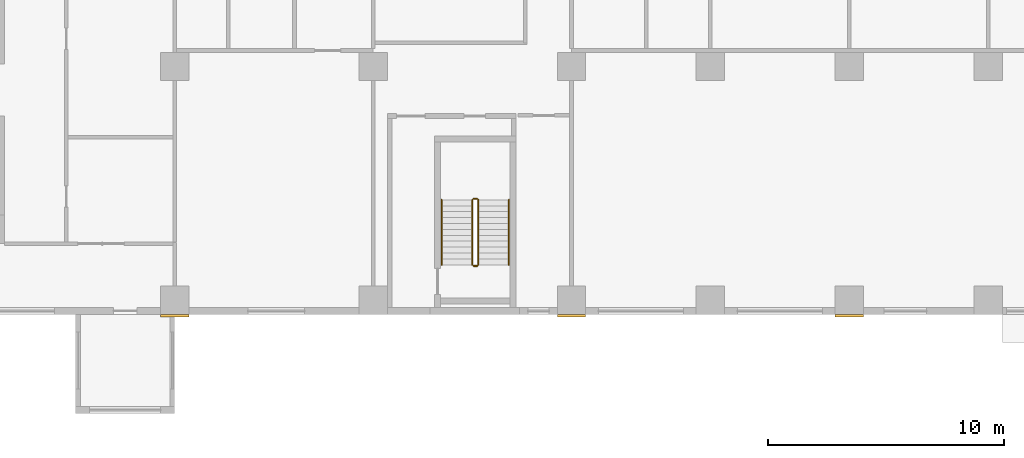
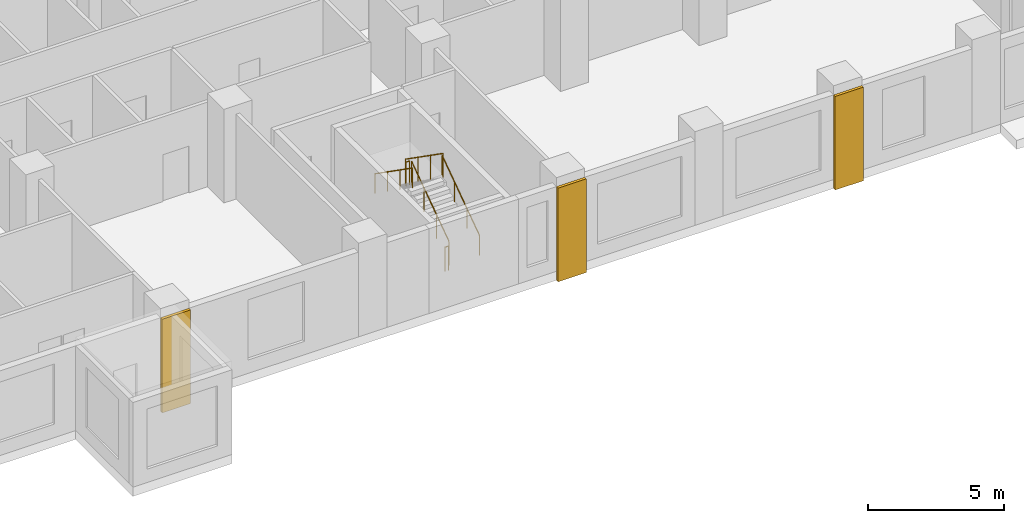
# One storey, part 12 of 15: 6 railings, 3 coverings.
"""IFC4 building model written with IfcOpenShell, lengths in metres."""

from ifc_helpers import new_model, si_unit, direction, frame, origin, origin_2d, place, context, subcontext, project, spatial, rectangle, circle, extrude, source, transform, mapped, material, type_object, element, save


model = new_model("IFC4")

# Units and contexts
model_context = context("Model", 3, precision=1e-05, world=origin(), true_north=direction((0.0, 1.0)))
body_context = subcontext(model_context, "Body", "Model", "MODEL_VIEW")
ifc_project = project(units=[si_unit("LENGTHUNIT", "METRE"), si_unit("AREAUNIT", "SQUARE_METRE"), si_unit("VOLUMEUNIT", "CUBIC_METRE"), si_unit("PLANEANGLEUNIT", "RADIAN"), si_unit("MASSUNIT", "GRAM", prefix="KILO")], contexts=[model_context])

# Site, building, storey
site_placement = place(None, origin())
site = spatial("IfcSite", under=ifc_project, at=site_placement, CompositionType="ELEMENT")
building_placement = place(site_placement, origin())
building = spatial("IfcBuilding", under=site, at=building_placement, Name="Aurelian Terraces", CompositionType="ELEMENT")
storey_placement = place(building_placement, frame((0.0, 0.0, 82.5)))
storey = spatial("IfcBuildingStorey", under=building, at=storey_placement, Name="L17", CompositionType="ELEMENT", Elevation=82.5)

# Coverings
ifc_material_1 = material(Name="Terracotta rainscreen cladding relief", Category="masonry")
covering_type = type_object("IfcCoveringType", Name="BAGUETTE-TC", PredefinedType="CLADDING", material=ifc_material_1)
shared_shape_1 = source(origin(), body_context, "Body", "SweptSolid", [
    extrude(rectangle(XDim=1.2, YDim=0.12, at=origin_2d()), origin(), (0.0, 0.0, 1.0), 4.2),
])
for number, where, z_axis, x_axis, name in (
    (1, (29.4, -0.06, -0.4), (0.0, 0.0, 1.0), (1.0, 0.0, 0.0), "BAGUETTE pier L17 2"),
    (2, (46.2, -0.06, -0.4), (0.0, 0.0, 1.0), (1.0, 0.0, 0.0), "BAGUETTE pier L17 3"),
    (3, (57.96, -0.06, -0.4), (0.0, 0.0, 1.0), (1.0, 0.0, 0.0), "BAGUETTE pier L17 4"),
):
    element("IfcCovering", number, at=place(storey_placement, frame(where, z_axis=z_axis, x_axis=x_axis)), inside=storey, type_object=covering_type, Name=name, PredefinedType="CLADDING", context=body_context, shape_type="MappedRepresentation", body=[
        mapped(shared_shape_1, transform((0.0, 0.0, 0.0), scale=1.0)),
    ])

# Railings
ifc_material_2 = material(Name="Stainless steel", Category="steel")
railing_type_1 = type_object("IfcRailingType", Name="Stair guard 1100", PredefinedType="GUARDRAIL", material=ifc_material_2)
shared_shape_2 = source(origin(), body_context, "Body", "SweptSolid", [
    extrude(circle(Radius=0.024, at=origin_2d()), frame((0.0, 0.0, 1.076), z_axis=(-1.0, 0.0, 0.0), x_axis=(0.0, -1.0, 0.0)), (0.0, 0.0, 1.0), 0.15),
    extrude(circle(Radius=0.021, at=origin_2d()), origin(), (0.0, 0.0, 1.0), 1.052),
    extrude(circle(Radius=0.021, at=origin_2d()), frame((-0.15, 0.0, 0.0)), (0.0, 0.0, 1.0), 1.052),
])
for number, where, name in (
    (4, (42.2, 4.9, 2.1), "L17 S2 stair guard 2"),
    (5, (42.2, 2.05, 0.0), "L17 S2 stair guard 4"),
):
    element("IfcRailing", number, at=place(storey_placement, frame(where)), inside=storey, type_object=railing_type_1, Name=name, PredefinedType="GUARDRAIL", context=body_context, shape_type="MappedRepresentation", body=[
        mapped(shared_shape_2, transform((0.0, 0.0, 0.0), scale=1.0)),
    ])
shared_shape_3 = source(origin(), body_context, "Body", "SweptSolid", [
    extrude(circle(Radius=0.024, at=origin_2d()), frame((0.0, 0.0, 1.076), z_axis=(0.0, 0.819231920519, 0.573462344363), x_axis=(-1.0, 0.0, 0.0)), (0.0, 0.0, 1.0), 3.3568),
    extrude(circle(Radius=0.021, at=origin_2d()), origin(), (0.0, 0.0, 1.0), 1.052),
    extrude(circle(Radius=0.021, at=origin_2d()), frame((0.0, 0.9167, 0.6417)), (0.0, 0.0, 1.0), 1.052),
    extrude(circle(Radius=0.021, at=origin_2d()), frame((0.0, 1.8333, 1.2833)), (0.0, 0.0, 1.0), 1.052),
    extrude(circle(Radius=0.021, at=origin_2d()), frame((0.0, 2.75, 1.925)), (0.0, 0.0, 1.0), 1.052),
])
railing_1_placement = place(storey_placement, frame((42.25, 2.1, 0.175)))
element("IfcRailing", 6, at=railing_1_placement, inside=storey, type_object=railing_type_1, Name="L17 S2 stair guard 1", PredefinedType="GUARDRAIL", context=body_context, shape_type="MappedRepresentation", body=[
    mapped(shared_shape_3, transform((0.0, 0.0, 0.0), scale=1.0)),
])
shared_shape_4 = source(origin(), body_context, "Body", "SweptSolid", [
    extrude(circle(Radius=0.024, at=origin_2d()), frame((0.0, 0.0, 1.076), z_axis=(0.0, -0.819231920519, 0.573462344363), x_axis=(1.0, 0.0, 0.0)), (0.0, 0.0, 1.0), 3.3568),
    extrude(circle(Radius=0.021, at=origin_2d()), origin(), (0.0, 0.0, 1.0), 1.052),
    extrude(circle(Radius=0.021, at=origin_2d()), frame((0.0, -0.9167, 0.6417)), (0.0, 0.0, 1.0), 1.052),
    extrude(circle(Radius=0.021, at=origin_2d()), frame((0.0, -1.8333, 1.2833)), (0.0, 0.0, 1.0), 1.052),
    extrude(circle(Radius=0.021, at=origin_2d()), frame((0.0, -2.75, 1.925)), (0.0, 0.0, 1.0), 1.052),
])
railing_2_placement = place(storey_placement, frame((42.0, 4.85, 2.275)))
element("IfcRailing", 7, at=railing_2_placement, inside=storey, type_object=railing_type_1, Name="L17 S2 stair guard 3", PredefinedType="GUARDRAIL", context=body_context, shape_type="MappedRepresentation", body=[
    mapped(shared_shape_4, transform((0.0, 0.0, 0.0), scale=1.0)),
])
railing_type_2 = type_object("IfcRailingType", Name="Stair handrail", PredefinedType="HANDRAIL", material=ifc_material_2)
shared_shape_5 = source(origin(), body_context, "Body", "SweptSolid", [
    extrude(circle(Radius=0.024, at=origin_2d()), frame((0.0, 0.0, 0.876), z_axis=(0.0, 0.819231920519, 0.573462344363), x_axis=(-1.0, 0.0, 0.0)), (0.0, 0.0, 1.0), 3.3568),
    extrude(circle(Radius=0.021, at=origin_2d()), origin(), (0.0, 0.0, 1.0), 0.852),
    extrude(circle(Radius=0.021, at=origin_2d()), frame((0.0, 0.9167, 0.6417)), (0.0, 0.0, 1.0), 0.852),
    extrude(circle(Radius=0.021, at=origin_2d()), frame((0.0, 1.8333, 1.2833)), (0.0, 0.0, 1.0), 0.852),
    extrude(circle(Radius=0.021, at=origin_2d()), frame((0.0, 2.75, 1.925)), (0.0, 0.0, 1.0), 0.852),
])
railing_3_placement = place(storey_placement, frame((43.55, 2.1, 0.175)))
element("IfcRailing", 8, at=railing_3_placement, inside=storey, type_object=railing_type_2, Name="L17 S2 stair handrail 1", PredefinedType="HANDRAIL", context=body_context, shape_type="MappedRepresentation", body=[
    mapped(shared_shape_5, transform((0.0, 0.0, 0.0), scale=1.0)),
])
shared_shape_6 = source(origin(), body_context, "Body", "SweptSolid", [
    extrude(circle(Radius=0.024, at=origin_2d()), frame((0.0, 0.0, 0.876), z_axis=(0.0, -0.819231920519, 0.573462344363), x_axis=(1.0, 0.0, 0.0)), (0.0, 0.0, 1.0), 3.3568),
    extrude(circle(Radius=0.021, at=origin_2d()), origin(), (0.0, 0.0, 1.0), 0.852),
    extrude(circle(Radius=0.021, at=origin_2d()), frame((0.0, -0.9167, 0.6417)), (0.0, 0.0, 1.0), 0.852),
    extrude(circle(Radius=0.021, at=origin_2d()), frame((0.0, -1.8333, 1.2833)), (0.0, 0.0, 1.0), 0.852),
    extrude(circle(Radius=0.021, at=origin_2d()), frame((0.0, -2.75, 1.925)), (0.0, 0.0, 1.0), 0.852),
])
railing_4_placement = place(storey_placement, frame((40.7, 4.85, 2.275)))
element("IfcRailing", 9, at=railing_4_placement, inside=storey, type_object=railing_type_2, Name="L17 S2 stair handrail 2", PredefinedType="HANDRAIL", context=body_context, shape_type="MappedRepresentation", body=[
    mapped(shared_shape_6, transform((0.0, 0.0, 0.0), scale=1.0)),
])

save(model, "model.ifc")
